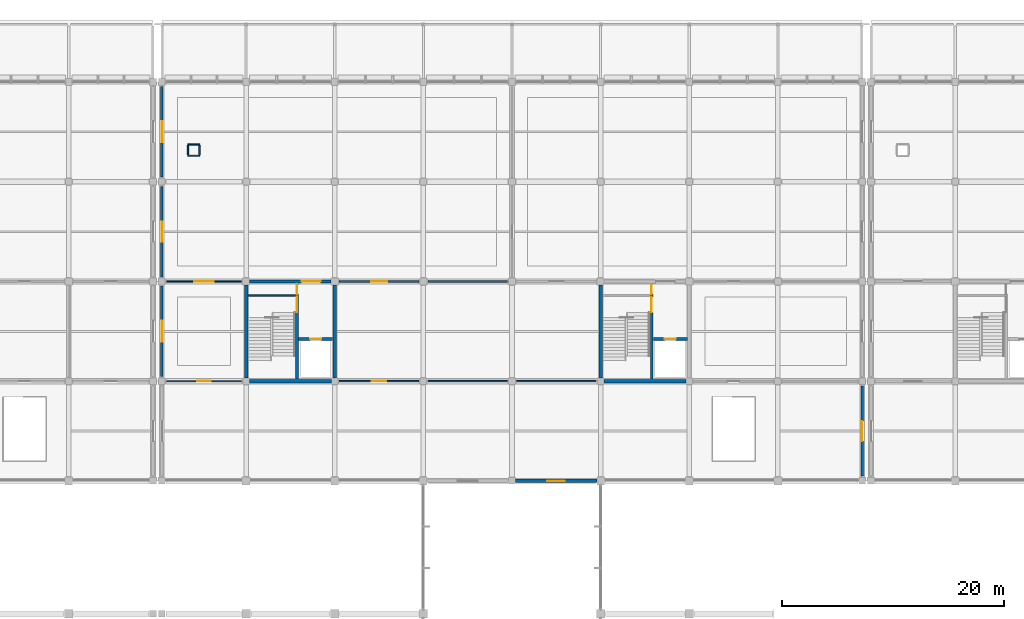
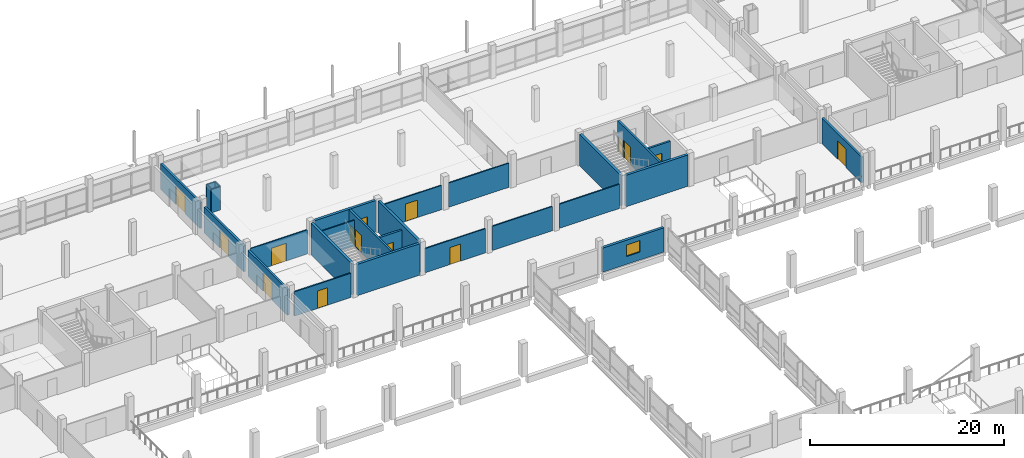
# One storey, part 45 of 57: 27 walls, 15 doors, 1 window, 16 openings.
"""IFC4 building model written with IfcOpenShell, lengths in metres."""

from ifc_helpers import new_model, si_unit, direction, frame, frame_2d, origin, place, context, subcontext, project, spatial, rectangle, extrude, material, layer, layer_set, type_object, element, fill, save


model = new_model("IFC4")

# Units and contexts
model_context = context("Model", 3, precision=1e-05, world=origin(), true_north=direction((0.0, 1.0)))
body_context = subcontext(model_context, "Body", "Model", "MODEL_VIEW")
ifc_project = project(units=[si_unit("LENGTHUNIT", "METRE"), si_unit("AREAUNIT", "SQUARE_METRE"), si_unit("VOLUMEUNIT", "CUBIC_METRE"), si_unit("PLANEANGLEUNIT", "RADIAN"), si_unit("MASSUNIT", "GRAM", prefix="KILO"), si_unit("THERMODYNAMICTEMPERATUREUNIT", "KELVIN"), si_unit("POWERUNIT", "WATT")], contexts=[model_context])

# Site, building, storey
site_placement = place(None, origin())
site = spatial("IfcSite", under=ifc_project, at=site_placement, CompositionType="ELEMENT")
building_placement = place(site_placement, origin())
building = spatial("IfcBuilding", under=site, at=building_placement, Name="Kronsvod Quay Wholesale Market", CompositionType="ELEMENT")
storey_placement = place(building_placement, frame((0.0, 0.0, 4.800048828125)))
storey = spatial("IfcBuildingStorey", under=building, at=storey_placement, Name="L01", CompositionType="ELEMENT", Elevation=4.800048828125)

# Wall
ifc_material_1 = material(Name="Concrete C35/45", Category="concrete")
ifc_layer_1 = layer(ifc_material_1, 0.300048828125)
ifc_layer_set_1 = layer_set([ifc_layer_1], Name="Concrete C35/45")
wall_type_1 = type_object("IfcWallType", Name="Wall_CoreShear300", PredefinedType="SHEAR", material=ifc_layer_set_1)
wall_1_placement = place(storey_placement, frame((72.294921875, 99.0, 0.0), z_axis=(0.0, 0.0, 1.0), x_axis=(1.0, 0.0, 0.0)))
element("IfcWall", 1, at=wall_1_placement, inside=storey, type_object=wall_type_1, Name="CW-C08-L01-S", PredefinedType="SHEAR", context=body_context, shape_type="SweptSolid", body=[
    extrude(rectangle(XDim=7.41015625, YDim=0.300048828125, at=frame_2d((3.705078125, 0.0))), origin(), (0.0, 0.0, 1.0), 3.954833984375),
])

# Wall, opening, door
wall_2_placement = place(storey_placement, frame((72.320068359375, 108.0, 0.0), z_axis=(0.0, 0.0, 1.0), x_axis=(1.0, 0.0, 0.0)))
wall_2 = element("IfcWall", 2, at=wall_2_placement, inside=storey, type_object=wall_type_1, Name="CW-C08-L01-N", PredefinedType="SHEAR", context=body_context, shape_type="SweptSolid", body=[
    extrude(rectangle(XDim=7.35986328125, YDim=0.300048828125, at=frame_2d((3.679931640625, 0.0))), origin(), (0.0, 0.0, 1.0), 3.954833984375),
])
opening_1_placement = place(wall_2_placement, frame((4.699951171875, 0.0, 0.0)))
opening_1 = element("IfcOpeningElement", 3, at=opening_1_placement, cuts=wall_2, Name="Opening D-0080", PredefinedType="OPENING", context=body_context, shape_type="SweptSolid", body=[
    extrude(rectangle(XDim=1.699951171875, YDim=2.25, at=frame_2d((0.85009765625, 1.125))), frame((0.0, 0.16015625, 0.0), z_axis=(0.0, -1.0, 0.0), x_axis=(1.0, 0.0, 0.0)), (0.0, 0.0, 1.0), 0.320068359375),
])
ifc_material_2 = material(Name="Painted galvanized fire steel", Category="steel")
door_type_1 = type_object("IfcDoorType", Name="Door_FireLobby170x225", OperationType="DOUBLE_DOOR_SINGLE_SWING", PredefinedType="DOOR", material=ifc_material_2)
door_1_placement = place(opening_1_placement, origin())
door_1 = element("IfcDoor", 4, at=door_1_placement, inside=storey, type_object=door_type_1, Name="Core Lobby Door D-0080", OperationType="DOUBLE_DOOR_SINGLE_SWING", OverallHeight=2.25, OverallWidth=1.699951171875, PredefinedType="DOOR", context=body_context, shape_type="SweptSolid", body=[
    extrude(rectangle(XDim=1.699951171875, YDim=2.25, at=frame_2d((0.85009765625, 1.125))), frame((0.0, 0.02490234375, 0.0), z_axis=(0.0, -1.0, 0.0), x_axis=(1.0, 0.0, 0.0)), (0.0, 0.0, 1.0), 0.050048828125),
])
fill(opening_1, door_1)

# Walls
for number, where, z_axis, x_axis, name in (
    (5, (72.0, 99.294921875, 0.0), (0.0, 0.0, 1.0), (0.0, 1.0, 0.0), "CW-C08-L01-W"),
    (6, (80.0, 99.294921875, 0.0), (0.0, 0.0, 1.0), (0.0, 1.0, 0.0), "CW-C08-L01-E"),
):
    element("IfcWall", number, at=place(storey_placement, frame(where, z_axis=z_axis, x_axis=x_axis)), inside=storey, type_object=wall_type_1, Name=name, PredefinedType="SHEAR", context=body_context, shape_type="SweptSolid", body=[
        extrude(rectangle(XDim=8.385009765625, YDim=0.300048828125, at=frame_2d((4.1923828125, 0.0))), origin(), (0.0, 0.0, 1.0), 3.954833984375),
    ])
wall_3_placement = place(storey_placement, frame((104.294921875, 99.0, 0.0), z_axis=(0.0, 0.0, 1.0), x_axis=(1.0, 0.0, 0.0)))
element("IfcWall", 7, at=wall_3_placement, inside=storey, type_object=wall_type_1, Name="CW-C09-L01-S", PredefinedType="SHEAR", context=body_context, shape_type="SweptSolid", body=[
    extrude(rectangle(XDim=7.41015625, YDim=0.300048828125, at=frame_2d((3.705078125, 0.0))), origin(), (0.0, 0.0, 1.0), 3.954833984375),
])
wall_4_placement = place(storey_placement, frame((104.0, 99.294921875, 0.0), z_axis=(0.0, 0.0, 1.0), x_axis=(0.0, 1.0, 0.0)))
element("IfcWall", 8, at=wall_4_placement, inside=storey, type_object=wall_type_1, Name="CW-C09-L01-W", PredefinedType="SHEAR", context=body_context, shape_type="SweptSolid", body=[
    extrude(rectangle(XDim=8.385009765625, YDim=0.300048828125, at=frame_2d((4.1923828125, 0.0))), origin(), (0.0, 0.0, 1.0), 3.954833984375),
])

# Wall, opening, window
ifc_material_3 = material(Name="Precast concrete C40/50", Category="concrete")
ifc_layer_2 = layer(ifc_material_3, 0.300048828125)
ifc_layer_set_2 = layer_set([ifc_layer_2], Name="Precast concrete C40/50")
wall_type_2 = type_object("IfcWallType", Name="Wall_ExtPrecast300", PredefinedType="SOLIDWALL", material=ifc_layer_set_2)
wall_5_placement = place(storey_placement, frame((96.294921875, 90.0, 0.0), z_axis=(0.0, 0.0, 1.0), x_axis=(1.0, 0.0, 0.0)))
wall_5 = element("IfcWall", 9, at=wall_5_placement, inside=storey, type_object=wall_type_2, Name="EW-X-L01-0126", PredefinedType="SOLIDWALL", context=body_context, shape_type="SweptSolid", body=[
    extrude(rectangle(XDim=7.360107421875, YDim=0.300048828125, at=frame_2d((3.68017578125, 0.0))), origin(), (0.0, 0.0, 1.0), 3.050048828125),
])
opening_2_placement = place(wall_5_placement, frame((2.8798828125, 0.0, 1.0)))
opening_2 = element("IfcOpeningElement", 10, at=opening_2_placement, cuts=wall_5, Name="Opening WIN-11", PredefinedType="OPENING", context=body_context, shape_type="SweptSolid", body=[
    extrude(rectangle(XDim=1.60009765625, YDim=1.449951171875, at=frame_2d((0.800048828125, 0.72509765625))), frame((0.0, 0.16015625, 0.0), z_axis=(0.0, -1.0, 0.0), x_axis=(1.0, 0.0, 0.0)), (0.0, 0.0, 1.0), 0.320068359375),
])
ifc_material_4 = material(Name="Thermally broken aluminium and triple low-E glazing", Category="aluminium")
window_type = type_object("IfcWindowType", Name="Win_W11", PartitioningType="SINGLE_PANEL", PredefinedType="WINDOW", material=ifc_material_4)
window_placement = place(opening_2_placement, origin())
window = element("IfcWindow", 11, at=window_placement, inside=storey, type_object=window_type, Name="WIN-L01-0011", OverallHeight=1.449951171875, OverallWidth=1.60009765625, PartitioningType="SINGLE_PANEL", PredefinedType="WINDOW", context=body_context, shape_type="SweptSolid", body=[
    extrude(rectangle(XDim=1.60009765625, YDim=1.449951171875, at=frame_2d((0.800048828125, 0.72509765625))), frame((0.0, 0.030029296875, 0.0), z_axis=(0.0, -1.0, 0.0), x_axis=(1.0, 0.0, 0.0)), (0.0, 0.0, 1.0), 0.06005859375),
])
fill(opening_2, window)

# Wall, opening, door
ifc_material_5 = material(Name="Precast concrete C40/50", Category="concrete")
ifc_layer_3 = layer(ifc_material_5, 0.239990234375)
ifc_layer_set_3 = layer_set([ifc_layer_3], Name="Precast concrete C40/50")
wall_type_3 = type_object("IfcWallType", Name="Wall_ExtSpandrel240", PredefinedType="SOLIDWALL", material=ifc_layer_set_3)
wall_6_placement = place(storey_placement, frame((64.39990234375, 99.419921875, 0.0), z_axis=(0.0, 0.0, 1.0), x_axis=(0.0, 1.0, 0.0)))
wall_6 = element("IfcWall", 12, at=wall_6_placement, inside=storey, type_object=wall_type_3, Name="MJWG-L01-644-990", PredefinedType="SOLIDWALL", context=body_context, shape_type="SweptSolid", body=[
    extrude(rectangle(XDim=8.16015625, YDim=0.239990234375, at=frame_2d((4.080078125, 0.0))), origin(), (0.0, 0.0, 1.0), 3.239990234375),
])
opening_3_placement = place(wall_6_placement, frame((3.1298828125, 0.0, 0.0)))
opening_3 = element("IfcOpeningElement", 13, at=opening_3_placement, cuts=wall_6, Name="Opening D-0359", PredefinedType="OPENING", context=body_context, shape_type="SweptSolid", body=[
    extrude(rectangle(XDim=1.89990234375, YDim=2.35009765625, at=frame_2d((0.949951171875, 1.175048828125))), frame((0.0, 0.1298828125, 0.0), z_axis=(0.0, -1.0, 0.0), x_axis=(1.0, 0.0, 0.0)), (0.0, 0.0, 1.0), 0.260009765625),
])
ifc_material_6 = material(Name="Painted galvanized fire steel", Category="steel")
door_type_2 = type_object("IfcDoorType", Name="Door_FireComp190x235", OperationType="DOUBLE_DOOR_SINGLE_SWING", PredefinedType="DOOR", material=ifc_material_6)
door_2_placement = place(opening_3_placement, origin())
door_2 = element("IfcDoor", 14, at=door_2_placement, inside=storey, type_object=door_type_2, Name="Fire Compartment Door D-0359", OperationType="DOUBLE_DOOR_SINGLE_SWING", OverallHeight=2.35009765625, OverallWidth=1.89990234375, PredefinedType="DOOR", context=body_context, shape_type="SweptSolid", body=[
    extrude(rectangle(XDim=1.89990234375, YDim=2.35009765625, at=frame_2d((0.949951171875, 1.175048828125))), frame((0.0, 0.02490234375, 0.0), z_axis=(0.0, -1.0, 0.0), x_axis=(1.0, 0.0, 0.0)), (0.0, 0.0, 1.0), 0.050048828125),
])
fill(opening_3, door_2)

wall_7_placement = place(storey_placement, frame((64.39990234375, 108.419921875, 0.0), z_axis=(0.0, 0.0, 1.0), x_axis=(0.0, 1.0, 0.0)))
wall_7 = element("IfcWall", 15, at=wall_7_placement, inside=storey, type_object=wall_type_3, Name="MJWG-L01-644-1080", PredefinedType="SOLIDWALL", context=body_context, shape_type="SweptSolid", body=[
    extrude(rectangle(XDim=8.16015625, YDim=0.239990234375, at=frame_2d((4.080078125, 0.0))), origin(), (0.0, 0.0, 1.0), 3.239990234375),
])
opening_4_placement = place(wall_7_placement, frame((3.179931640625, 0.0, 0.0)))
opening_4 = element("IfcOpeningElement", 16, at=opening_4_placement, cuts=wall_7, Name="Opening D-0360", PredefinedType="OPENING", context=body_context, shape_type="SweptSolid", body=[
    extrude(rectangle(XDim=1.800048828125, YDim=2.300048828125, at=frame_2d((0.89990234375, 1.14990234375))), frame((0.0, 0.1298828125, 0.0), z_axis=(0.0, -1.0, 0.0), x_axis=(1.0, 0.0, 0.0)), (0.0, 0.0, 1.0), 0.260009765625),
])
ifc_material_7 = material(Name="Painted galvanized fire steel", Category="steel")
door_type_3 = type_object("IfcDoorType", Name="Door_FireComp180x230", OperationType="DOUBLE_DOOR_SINGLE_SWING", PredefinedType="DOOR", material=ifc_material_7)
door_3_placement = place(opening_4_placement, origin())
door_3 = element("IfcDoor", 17, at=door_3_placement, inside=storey, type_object=door_type_3, Name="Fire Compartment Door D-0360", OperationType="DOUBLE_DOOR_SINGLE_SWING", OverallHeight=2.300048828125, OverallWidth=1.800048828125, PredefinedType="DOOR", context=body_context, shape_type="SweptSolid", body=[
    extrude(rectangle(XDim=1.800048828125, YDim=2.300048828125, at=frame_2d((0.89990234375, 1.14990234375))), frame((0.0, 0.02490234375, 0.0), z_axis=(0.0, -1.0, 0.0), x_axis=(1.0, 0.0, 0.0)), (0.0, 0.0, 1.0), 0.050048828125),
])
fill(opening_4, door_3)

wall_8_placement = place(storey_placement, frame((64.39990234375, 117.419921875, 0.0), z_axis=(0.0, 0.0, 1.0), x_axis=(0.0, 1.0, 0.0)))
wall_8 = element("IfcWall", 18, at=wall_8_placement, inside=storey, type_object=wall_type_3, Name="MJWG-L01-644-1170", PredefinedType="SOLIDWALL", context=body_context, shape_type="SweptSolid", body=[
    extrude(rectangle(XDim=8.16015625, YDim=0.239990234375, at=frame_2d((4.080078125, 0.0))), origin(), (0.0, 0.0, 1.0), 3.239990234375),
])
opening_5_placement = place(wall_8_placement, frame((3.1298828125, 0.0, 0.0)))
opening_5 = element("IfcOpeningElement", 19, at=opening_5_placement, cuts=wall_8, Name="Opening D-0361", PredefinedType="OPENING", context=body_context, shape_type="SweptSolid", body=[
    extrude(rectangle(XDim=1.89990234375, YDim=2.35009765625, at=frame_2d((0.949951171875, 1.175048828125))), frame((0.0, 0.1298828125, 0.0), z_axis=(0.0, -1.0, 0.0), x_axis=(1.0, 0.0, 0.0)), (0.0, 0.0, 1.0), 0.260009765625),
])
door_4_placement = place(opening_5_placement, origin())
door_4 = element("IfcDoor", 20, at=door_4_placement, inside=storey, type_object=door_type_2, Name="Fire Compartment Door D-0361", OperationType="DOUBLE_DOOR_SINGLE_SWING", OverallHeight=2.35009765625, OverallWidth=1.89990234375, PredefinedType="DOOR", context=body_context, shape_type="SweptSolid", body=[
    extrude(rectangle(XDim=1.89990234375, YDim=2.35009765625, at=frame_2d((0.949951171875, 1.175048828125))), frame((0.0, 0.02490234375, 0.0), z_axis=(0.0, -1.0, 0.0), x_axis=(1.0, 0.0, 0.0)), (0.0, 0.0, 1.0), 0.050048828125),
])
fill(opening_5, door_4)

wall_9_placement = place(storey_placement, frame((127.60009765625, 90.419921875, 0.0), z_axis=(0.0, 0.0, 1.0), x_axis=(0.0, 1.0, 0.0)))
wall_9 = element("IfcWall", 21, at=wall_9_placement, inside=storey, type_object=wall_type_3, Name="MJWG-L01-1276-900", PredefinedType="SOLIDWALL", context=body_context, shape_type="SweptSolid", body=[
    extrude(rectangle(XDim=8.16015625, YDim=0.239990234375, at=frame_2d((4.080078125, 0.0))), origin(), (0.0, 0.0, 1.0), 3.239990234375),
])
opening_6_placement = place(wall_9_placement, frame((3.179931640625, 0.0, 0.0)))
opening_6 = element("IfcOpeningElement", 22, at=opening_6_placement, cuts=wall_9, Name="Opening D-0364", PredefinedType="OPENING", context=body_context, shape_type="SweptSolid", body=[
    extrude(rectangle(XDim=1.800048828125, YDim=2.300048828125, at=frame_2d((0.89990234375, 1.14990234375))), frame((0.0, 0.1298828125, 0.0), z_axis=(0.0, -1.0, 0.0), x_axis=(1.0, 0.0, 0.0)), (0.0, 0.0, 1.0), 0.260009765625),
])
door_5_placement = place(opening_6_placement, origin())
door_5 = element("IfcDoor", 23, at=door_5_placement, inside=storey, type_object=door_type_3, Name="Fire Compartment Door D-0364", OperationType="DOUBLE_DOOR_SINGLE_SWING", OverallHeight=2.300048828125, OverallWidth=1.800048828125, PredefinedType="DOOR", context=body_context, shape_type="SweptSolid", body=[
    extrude(rectangle(XDim=1.800048828125, YDim=2.300048828125, at=frame_2d((0.89990234375, 1.14990234375))), frame((0.0, 0.02490234375, 0.0), z_axis=(0.0, -1.0, 0.0), x_axis=(1.0, 0.0, 0.0)), (0.0, 0.0, 1.0), 0.050048828125),
])
fill(opening_6, door_5)

ifc_material_8 = material(Name="Fire-rated corridor gypsum partition")
ifc_layer_4 = layer(ifc_material_8, 0.159912109375)
ifc_layer_set_4 = layer_set([ifc_layer_4], Name="Fire-rated corridor gypsum partition")
wall_type_4 = type_object("IfcWallType", Name="Wall_PartCorridor160", PredefinedType="PARTITIONING", material=ifc_layer_set_4)
wall_10_placement = place(storey_placement, frame((64.820068359375, 99.0, 0.0), z_axis=(0.0, 0.0, 1.0), x_axis=(1.0, 0.0, 0.0)))
wall_10 = element("IfcWall", 24, at=wall_10_placement, inside=storey, type_object=wall_type_4, Name="PW-L01-0070", PredefinedType="PARTITIONING", context=body_context, shape_type="SweptSolid", body=[
    extrude(rectangle(XDim=6.760009765625, YDim=0.159912109375, at=frame_2d((3.3798828125, 0.0))), origin(), (0.0, 0.0, 1.0), 3.050048828125),
])
opening_7_placement = place(wall_10_placement, frame((2.7900390625, 0.0, 0.0)))
opening_7 = element("IfcOpeningElement", 25, at=opening_7_placement, cuts=wall_10, Name="Opening D-0255", PredefinedType="OPENING", context=body_context, shape_type="SweptSolid", body=[
    extrude(rectangle(XDim=1.179931640625, YDim=2.199951171875, at=frame_2d((0.58984375, 1.10009765625))), frame((0.0, 0.08984375, 0.0), z_axis=(0.0, -1.0, 0.0), x_axis=(1.0, 0.0, 0.0)), (0.0, 0.0, 1.0), 0.179931640625),
])
ifc_material_9 = material(Name="Solid-core timber office door", Category="wood")
door_type_4 = type_object("IfcDoorType", Name="Door_Office118x220", OperationType="NOTDEFINED", PredefinedType="DOOR", material=ifc_material_9)
door_6_placement = place(opening_7_placement, origin())
door_6 = element("IfcDoor", 26, at=door_6_placement, inside=storey, type_object=door_type_4, Name="Interior Door D-0255", OperationType="SINGLE_SWING_LEFT", OverallHeight=2.199951171875, OverallWidth=1.179931640625, PredefinedType="DOOR", context=body_context, shape_type="SweptSolid", body=[
    extrude(rectangle(XDim=1.179931640625, YDim=2.199951171875, at=frame_2d((0.58984375, 1.10009765625))), frame((0.0, 0.02490234375, 0.0), z_axis=(0.0, -1.0, 0.0), x_axis=(1.0, 0.0, 0.0)), (0.0, 0.0, 1.0), 0.050048828125),
])
fill(opening_7, door_6)

ifc_material_10 = material(Name="Ceramic-faced kitchen masonry partition", Category="masonry")
ifc_layer_5 = layer(ifc_material_10, 0.14501953125)
ifc_layer_set_5 = layer_set([ifc_layer_5], Name="Ceramic-faced kitchen masonry partition")
wall_type_5 = type_object("IfcWallType", Name="Wall_PartKitchen145", PredefinedType="PARTITIONING", material=ifc_layer_set_5)
wall_11_placement = place(storey_placement, frame((80.419921875, 99.0, 0.0), z_axis=(0.0, 0.0, 1.0), x_axis=(1.0, 0.0, 0.0)))
wall_11 = element("IfcWall", 27, at=wall_11_placement, inside=storey, type_object=wall_type_5, Name="PW-L01-0071", PredefinedType="PARTITIONING", context=body_context, shape_type="SweptSolid", body=[
    extrude(rectangle(XDim=7.16015625, YDim=0.14501953125, at=frame_2d((3.580078125, 0.0))), origin(), (0.0, 0.0, 1.0), 3.050048828125),
])
opening_8_placement = place(wall_11_placement, frame((2.929931640625, 0.0, 0.0)))
opening_8 = element("IfcOpeningElement", 28, at=opening_8_placement, cuts=wall_11, Name="Opening D-0256", PredefinedType="OPENING", context=body_context, shape_type="SweptSolid", body=[
    extrude(rectangle(XDim=1.300048828125, YDim=2.14990234375, at=frame_2d((0.64990234375, 1.074951171875))), frame((0.0, 0.08251953125, 0.0), z_axis=(0.0, -1.0, 0.0), x_axis=(1.0, 0.0, 0.0)), (0.0, 0.0, 1.0), 0.1650390625),
])
ifc_material_11 = material(Name="Stainless kitchen swing door", Category="steel")
door_type_5 = type_object("IfcDoorType", Name="Door_Kitchen130x215", OperationType="DOUBLE_DOOR_DOUBLE_SWING", PredefinedType="DOOR", material=ifc_material_11)
door_7_placement = place(opening_8_placement, origin())
door_7 = element("IfcDoor", 29, at=door_7_placement, inside=storey, type_object=door_type_5, Name="Interior Door D-0256", OperationType="DOUBLE_DOOR_DOUBLE_SWING", OverallHeight=2.14990234375, OverallWidth=1.300048828125, PredefinedType="DOOR", context=body_context, shape_type="SweptSolid", body=[
    extrude(rectangle(XDim=1.300048828125, YDim=2.14990234375, at=frame_2d((0.64990234375, 1.074951171875))), frame((0.0, 0.02490234375, 0.0), z_axis=(0.0, -1.0, 0.0), x_axis=(1.0, 0.0, 0.0)), (0.0, 0.0, 1.0), 0.050048828125),
])
fill(opening_8, door_7)

# Walls
for number, where, z_axis, x_axis, name in (
    (30, (88.419921875, 99.0, 0.0), (0.0, 0.0, 1.0), (1.0, 0.0, 0.0), "PW-L01-0072"),
    (31, (96.419921875, 99.0, 0.0), (0.0, 0.0, 1.0), (1.0, 0.0, 0.0), "PW-L01-0073"),
):
    element("IfcWall", number, at=place(storey_placement, frame(where, z_axis=z_axis, x_axis=x_axis)), inside=storey, type_object=wall_type_5, Name=name, PredefinedType="PARTITIONING", context=body_context, shape_type="SweptSolid", body=[
        extrude(rectangle(XDim=7.16015625, YDim=0.14501953125, at=frame_2d((3.580078125, 0.0))), origin(), (0.0, 0.0, 1.0), 3.050048828125),
    ])

# Wall, opening, door
wall_12_placement = place(storey_placement, frame((80.419921875, 108.0, 0.0), z_axis=(0.0, 0.0, 1.0), x_axis=(1.0, 0.0, 0.0)))
wall_12 = element("IfcWall", 32, at=wall_12_placement, inside=storey, type_object=wall_type_5, Name="PW-L01-0083", PredefinedType="PARTITIONING", context=body_context, shape_type="SweptSolid", body=[
    extrude(rectangle(XDim=7.16015625, YDim=0.14501953125, at=frame_2d((3.580078125, 0.0))), origin(), (0.0, 0.0, 1.0), 3.050048828125),
])
opening_9_placement = place(wall_12_placement, frame((2.85498046875, 0.0, 0.0)))
opening_9 = element("IfcOpeningElement", 33, at=opening_9_placement, cuts=wall_12, Name="Opening D-0264", PredefinedType="OPENING", context=body_context, shape_type="SweptSolid", body=[
    extrude(rectangle(XDim=1.449951171875, YDim=2.199951171875, at=frame_2d((0.72509765625, 1.10009765625))), frame((0.0, 0.08251953125, 0.0), z_axis=(0.0, -1.0, 0.0), x_axis=(1.0, 0.0, 0.0)), (0.0, 0.0, 1.0), 0.1650390625),
])
ifc_material_12 = material(Name="Stainless kitchen swing door", Category="steel")
door_type_6 = type_object("IfcDoorType", Name="Door_Kitchen145x220", OperationType="DOUBLE_DOOR_DOUBLE_SWING", PredefinedType="DOOR", material=ifc_material_12)
door_8_placement = place(opening_9_placement, origin())
door_8 = element("IfcDoor", 34, at=door_8_placement, inside=storey, type_object=door_type_6, Name="Interior Door D-0264", OperationType="DOUBLE_DOOR_DOUBLE_SWING", OverallHeight=2.199951171875, OverallWidth=1.449951171875, PredefinedType="DOOR", context=body_context, shape_type="SweptSolid", body=[
    extrude(rectangle(XDim=1.449951171875, YDim=2.199951171875, at=frame_2d((0.72509765625, 1.10009765625))), frame((0.0, 0.02490234375, 0.0), z_axis=(0.0, -1.0, 0.0), x_axis=(1.0, 0.0, 0.0)), (0.0, 0.0, 1.0), 0.050048828125),
])
fill(opening_9, door_8)

# Wall
wall_13_placement = place(storey_placement, frame((88.419921875, 108.0, 0.0), z_axis=(0.0, 0.0, 1.0), x_axis=(1.0, 0.0, 0.0)))
element("IfcWall", 35, at=wall_13_placement, inside=storey, type_object=wall_type_5, Name="PW-L01-0084", PredefinedType="PARTITIONING", context=body_context, shape_type="SweptSolid", body=[
    extrude(rectangle(XDim=7.16015625, YDim=0.14501953125, at=frame_2d((3.580078125, 0.0))), origin(), (0.0, 0.0, 1.0), 3.050048828125),
])

# Wall, opening, door
ifc_material_13 = material(Name="Lightweight demountable office partition")
ifc_layer_6 = layer(ifc_material_13, 0.1201171875)
ifc_layer_set_6 = layer_set([ifc_layer_6], Name="Lightweight demountable office partition")
wall_type_6 = type_object("IfcWallType", Name="Wall_PartOffice120", PredefinedType="PARTITIONING", material=ifc_layer_set_6)
wall_14_placement = place(storey_placement, frame((64.820068359375, 108.0, 0.0), z_axis=(0.0, 0.0, 1.0), x_axis=(1.0, 0.0, 0.0)))
wall_14 = element("IfcWall", 36, at=wall_14_placement, inside=storey, type_object=wall_type_6, Name="PW-L01-0082", PredefinedType="PARTITIONING", context=body_context, shape_type="SweptSolid", body=[
    extrude(rectangle(XDim=6.760009765625, YDim=0.1201171875, at=frame_2d((3.3798828125, 0.0))), origin(), (0.0, 0.0, 1.0), 3.050048828125),
])
opening_10_placement = place(wall_14_placement, frame((2.5048828125, 0.0, 0.0)))
opening_10 = element("IfcOpeningElement", 37, at=opening_10_placement, cuts=wall_14, Name="Opening D-0263", PredefinedType="OPENING", context=body_context, shape_type="SweptSolid", body=[
    extrude(rectangle(XDim=1.75, YDim=2.219970703125, at=frame_2d((0.875, 1.10986328125))), frame((0.0, 0.070068359375, 0.0), z_axis=(0.0, -1.0, 0.0), x_axis=(1.0, 0.0, 0.0)), (0.0, 0.0, 1.0), 0.14013671875),
])
ifc_material_14 = material(Name="Glazed timber suite door", Category="wood")
door_type_7 = type_object("IfcDoorType", Name="Door_OfficeDouble175x222", OperationType="DOUBLE_DOOR_SINGLE_SWING", PredefinedType="DOOR", material=ifc_material_14)
door_9_placement = place(opening_10_placement, origin())
door_9 = element("IfcDoor", 38, at=door_9_placement, inside=storey, type_object=door_type_7, Name="Interior Door D-0263", OperationType="DOUBLE_DOOR_SINGLE_SWING", OverallHeight=2.219970703125, OverallWidth=1.75, PredefinedType="DOOR", context=body_context, shape_type="SweptSolid", body=[
    extrude(rectangle(XDim=1.75, YDim=2.219970703125, at=frame_2d((0.875, 1.10986328125))), frame((0.0, 0.02490234375, 0.0), z_axis=(0.0, -1.0, 0.0), x_axis=(1.0, 0.0, 0.0)), (0.0, 0.0, 1.0), 0.050048828125),
])
fill(opening_10, door_9)

# Walls
ifc_material_15 = material(Name="Fire-rated shaft riser block wall", Category="masonry")
ifc_layer_7 = layer(ifc_material_15, 0.1201171875)
ifc_layer_set_7 = layer_set([ifc_layer_7], Name="Fire-rated shaft riser block wall")
wall_type_7 = type_object("IfcWallType", Name="Wall_PartRiser120", PredefinedType="PARTITIONING", material=ifc_layer_set_7)
for number, where, z_axis, x_axis, name in (
    (39, (66.739990234375, 119.340087890625, 0.0), (0.0, 0.0, 1.0), (1.0, 0.0, 0.0), "RSRW-SLB-L01-073-S"),
    (40, (66.739990234375, 120.360107421875, 0.0), (0.0, 0.0, 1.0), (1.0, 0.0, 0.0), "RSRW-SLB-L01-073-N"),
):
    element("IfcWall", number, at=place(storey_placement, frame(where, z_axis=z_axis, x_axis=x_axis)), inside=storey, type_object=wall_type_7, Name=name, PredefinedType="PARTITIONING", context=body_context, shape_type="SweptSolid", body=[
        extrude(rectangle(XDim=1.06005859375, YDim=0.1201171875, at=frame_2d((0.530029296875, 0.0))), origin(), (0.0, 0.0, 1.0), 2.949951171875),
    ])
for number, where, z_axis, x_axis, name in (
    (41, (66.760009765625, 119.419921875, 0.0), (0.0, 0.0, 1.0), (0.0, 1.0, 0.0), "RSRW-SLB-L01-073-W"),
    (42, (67.780029296875, 119.419921875, 0.0), (0.0, 0.0, 1.0), (0.0, 1.0, 0.0), "RSRW-SLB-L01-073-E"),
):
    element("IfcWall", number, at=place(storey_placement, frame(where, z_axis=z_axis, x_axis=x_axis)), inside=storey, type_object=wall_type_7, Name=name, PredefinedType="PARTITIONING", context=body_context, shape_type="SweptSolid", body=[
        extrude(rectangle(XDim=0.860107421875, YDim=0.1201171875, at=frame_2d((0.43017578125, 0.0))), origin(), (0.0, 0.0, 1.0), 2.949951171875),
    ])
ifc_material_16 = material(Name="Fire-rated shaft riser block wall", Category="masonry")
ifc_layer_8 = layer(ifc_material_16, 0.1298828125)
ifc_layer_set_8 = layer_set([ifc_layer_8], Name="Fire-rated shaft riser block wall")
wall_type_8 = type_object("IfcWallType", Name="Wall_PartRiser130", PredefinedType="PARTITIONING", material=ifc_layer_set_8)
wall_15_placement = place(storey_placement, frame((72.179931640625, 106.75, 0.0), z_axis=(0.0, 0.0, 1.0), x_axis=(1.0, 0.0, 0.0)))
element("IfcWall", 43, at=wall_15_placement, inside=storey, type_object=wall_type_8, Name="CW-C08-L01-RSR", PredefinedType="PARTITIONING", context=body_context, shape_type="SweptSolid", body=[
    extrude(rectangle(XDim=4.280029296875, YDim=0.1298828125, at=frame_2d((2.14013671875, 0.0))), origin(), (0.0, 0.0, 1.0), 3.304931640625),
])

# Wall, openings, doors
ifc_material_17 = material(Name="Concrete C35/45", Category="concrete")
ifc_layer_9 = layer(ifc_material_17, 0.239990234375)
ifc_layer_set_9 = layer_set([ifc_layer_9], Name="Concrete C35/45")
wall_type_9 = type_object("IfcWallType", Name="Wall_ShaftWall240", PredefinedType="SHEAR", material=ifc_layer_set_9)
wall_16_placement = place(storey_placement, frame((76.60009765625, 99.179931640625, 0.0), z_axis=(0.0, 0.0, 1.0), x_axis=(0.0, 1.0, 0.0)))
wall_16 = element("IfcWall", 44, at=wall_16_placement, inside=storey, type_object=wall_type_9, Name="CW-C08-L01-DIV", PredefinedType="SHEAR", context=body_context, shape_type="SweptSolid", body=[
    extrude(rectangle(XDim=8.64013671875, YDim=0.239990234375, at=frame_2d((4.320068359375, 0.0))), origin(), (0.0, 0.0, 1.0), 3.954833984375),
])
opening_11_placement = place(wall_16_placement, frame((6.02001953125, 0.0, 0.0)))
opening_11 = element("IfcOpeningElement", 45, at=opening_11_placement, cuts=wall_16, Name="Opening D-0078", PredefinedType="OPENING", context=body_context, shape_type="SweptSolid", body=[
    extrude(rectangle(XDim=1.39990234375, YDim=2.199951171875, at=frame_2d((0.699951171875, 1.10009765625))), frame((0.0, 0.1298828125, 0.0), z_axis=(0.0, -1.0, 0.0), x_axis=(1.0, 0.0, 0.0)), (0.0, 0.0, 1.0), 0.260009765625),
])
opening_12_placement = place(wall_16_placement, frame((7.679931640625, 0.0, 0.0)))
opening_12 = element("IfcOpeningElement", 46, at=opening_12_placement, cuts=wall_16, Name="Opening D-0079", PredefinedType="OPENING", context=body_context, shape_type="SweptSolid", body=[
    extrude(rectangle(XDim=0.8798828125, YDim=2.02001953125, at=frame_2d((0.43994140625, 1.010009765625))), frame((0.0, 0.1298828125, 0.0), z_axis=(0.0, -1.0, 0.0), x_axis=(1.0, 0.0, 0.0)), (0.0, 0.0, 1.0), 0.260009765625),
])
ifc_material_18 = material(Name="Painted galvanized fire steel", Category="steel")
door_type_8 = type_object("IfcDoorType", Name="Door_FireStair140x220", OperationType="NOTDEFINED", PredefinedType="DOOR", material=ifc_material_18)
door_10_placement = place(opening_11_placement, origin())
door_10 = element("IfcDoor", 47, at=door_10_placement, inside=storey, type_object=door_type_8, Name="Stair Fire Door D-0078", OperationType="SINGLE_SWING_LEFT", OverallHeight=2.199951171875, OverallWidth=1.39990234375, PredefinedType="DOOR", context=body_context, shape_type="SweptSolid", body=[
    extrude(rectangle(XDim=1.39990234375, YDim=2.199951171875, at=frame_2d((0.699951171875, 1.10009765625))), frame((0.0, 0.02490234375, 0.0), z_axis=(0.0, -1.0, 0.0), x_axis=(1.0, 0.0, 0.0)), (0.0, 0.0, 1.0), 0.050048828125),
])
fill(opening_11, door_10)
ifc_material_19 = material(Name="Fire-rated steel riser access door", Category="steel")
door_type_9 = type_object("IfcDoorType", Name="Door_Riser88x202", OperationType="NOTDEFINED", PredefinedType="DOOR", material=ifc_material_19)
door_11_placement = place(opening_12_placement, origin())
door_11 = element("IfcDoor", 48, at=door_11_placement, inside=storey, type_object=door_type_9, Name="Service Riser Door D-0079", OperationType="SINGLE_SWING_RIGHT", OverallHeight=2.02001953125, OverallWidth=0.8798828125, PredefinedType="DOOR", context=body_context, shape_type="SweptSolid", body=[
    extrude(rectangle(XDim=0.8798828125, YDim=2.02001953125, at=frame_2d((0.43994140625, 1.010009765625))), frame((0.0, 0.02490234375, 0.0), z_axis=(0.0, -1.0, 0.0), x_axis=(1.0, 0.0, 0.0)), (0.0, 0.0, 1.0), 0.050048828125),
])
fill(opening_12, door_11)

# Wall, opening, door
wall_17_placement = place(storey_placement, frame((76.75, 102.800048828125, 0.0), z_axis=(0.0, 0.0, 1.0), x_axis=(1.0, 0.0, 0.0)))
wall_17 = element("IfcWall", 49, at=wall_17_placement, inside=storey, type_object=wall_type_9, Name="CW-C08-L01-LSH", PredefinedType="SHEAR", context=body_context, shape_type="SweptSolid", body=[
    extrude(rectangle(XDim=3.070068359375, YDim=0.239990234375, at=frame_2d((1.53515625, 0.0))), origin(), (0.0, 0.0, 1.0), 3.304931640625),
])
opening_13_placement = place(wall_17_placement, frame((1.034912109375, 0.0, 0.0)))
opening_13 = element("IfcOpeningElement", 50, at=opening_13_placement, cuts=wall_17, Name="Opening D-0081", PredefinedType="OPENING", context=body_context, shape_type="SweptSolid", body=[
    extrude(rectangle(XDim=1.0, YDim=2.14990234375, at=frame_2d((0.5, 1.074951171875))), frame((0.0, 0.1298828125, 0.0), z_axis=(0.0, -1.0, 0.0), x_axis=(1.0, 0.0, 0.0)), (0.0, 0.0, 1.0), 0.260009765625),
])
ifc_material_20 = material(Name="Brushed stainless steel", Category="steel")
door_type_10 = type_object("IfcDoorType", Name="Door_LiftLandingPax", OperationType="SLIDING_TO_LEFT", PredefinedType="DOOR", material=ifc_material_20)
door_12_placement = place(opening_13_placement, origin())
door_12 = element("IfcDoor", 51, at=door_12_placement, inside=storey, type_object=door_type_10, Name="Lift Landing Door LFT-P03 L01", OperationType="SLIDING_TO_LEFT", OverallHeight=2.14990234375, OverallWidth=1.0, PredefinedType="DOOR", context=body_context, shape_type="SweptSolid", body=[
    extrude(rectangle(XDim=1.0, YDim=2.14990234375, at=frame_2d((0.5, 1.074951171875))), frame((0.0, 0.02490234375, 0.0), z_axis=(0.0, -1.0, 0.0), x_axis=(1.0, 0.0, 0.0)), (0.0, 0.0, 1.0), 0.050048828125),
])
fill(opening_13, door_12)

# Wall, openings, doors
wall_18_placement = place(storey_placement, frame((108.60009765625, 99.179931640625, 0.0), z_axis=(0.0, 0.0, 1.0), x_axis=(0.0, 1.0, 0.0)))
wall_18 = element("IfcWall", 52, at=wall_18_placement, inside=storey, type_object=wall_type_9, Name="CW-C09-L01-DIV", PredefinedType="SHEAR", context=body_context, shape_type="SweptSolid", body=[
    extrude(rectangle(XDim=8.64013671875, YDim=0.239990234375, at=frame_2d((4.320068359375, 0.0))), origin(), (0.0, 0.0, 1.0), 3.954833984375),
])
opening_14_placement = place(wall_18_placement, frame((6.02001953125, 0.0, 0.0)))
opening_14 = element("IfcOpeningElement", 53, at=opening_14_placement, cuts=wall_18, Name="Opening D-0094", PredefinedType="OPENING", context=body_context, shape_type="SweptSolid", body=[
    extrude(rectangle(XDim=1.3798828125, YDim=2.219970703125, at=frame_2d((0.68994140625, 1.10986328125))), frame((0.0, 0.1298828125, 0.0), z_axis=(0.0, -1.0, 0.0), x_axis=(1.0, 0.0, 0.0)), (0.0, 0.0, 1.0), 0.260009765625),
])
opening_15_placement = place(wall_18_placement, frame((7.679931640625, 0.0, 0.0)))
opening_15 = element("IfcOpeningElement", 54, at=opening_15_placement, cuts=wall_18, Name="Opening D-0095", PredefinedType="OPENING", context=body_context, shape_type="SweptSolid", body=[
    extrude(rectangle(XDim=0.89990234375, YDim=2.050048828125, at=frame_2d((0.449951171875, 1.02490234375))), frame((0.0, 0.1298828125, 0.0), z_axis=(0.0, -1.0, 0.0), x_axis=(1.0, 0.0, 0.0)), (0.0, 0.0, 1.0), 0.260009765625),
])
ifc_material_21 = material(Name="Painted galvanized fire steel", Category="steel")
door_type_11 = type_object("IfcDoorType", Name="Door_FireStair138x222", OperationType="NOTDEFINED", PredefinedType="DOOR", material=ifc_material_21)
door_13_placement = place(opening_14_placement, origin())
door_13 = element("IfcDoor", 55, at=door_13_placement, inside=storey, type_object=door_type_11, Name="Stair Fire Door D-0094", OperationType="SINGLE_SWING_LEFT", OverallHeight=2.219970703125, OverallWidth=1.3798828125, PredefinedType="DOOR", context=body_context, shape_type="SweptSolid", body=[
    extrude(rectangle(XDim=1.3798828125, YDim=2.219970703125, at=frame_2d((0.68994140625, 1.10986328125))), frame((0.0, 0.02490234375, 0.0), z_axis=(0.0, -1.0, 0.0), x_axis=(1.0, 0.0, 0.0)), (0.0, 0.0, 1.0), 0.050048828125),
])
fill(opening_14, door_13)
ifc_material_22 = material(Name="Fire-rated steel riser access door", Category="steel")
door_type_12 = type_object("IfcDoorType", Name="Door_Riser90x205", OperationType="NOTDEFINED", PredefinedType="DOOR", material=ifc_material_22)
door_14_placement = place(opening_15_placement, origin())
door_14 = element("IfcDoor", 56, at=door_14_placement, inside=storey, type_object=door_type_12, Name="Service Riser Door D-0095", OperationType="SINGLE_SWING_RIGHT", OverallHeight=2.050048828125, OverallWidth=0.89990234375, PredefinedType="DOOR", context=body_context, shape_type="SweptSolid", body=[
    extrude(rectangle(XDim=0.89990234375, YDim=2.050048828125, at=frame_2d((0.449951171875, 1.02490234375))), frame((0.0, 0.02490234375, 0.0), z_axis=(0.0, -1.0, 0.0), x_axis=(1.0, 0.0, 0.0)), (0.0, 0.0, 1.0), 0.050048828125),
])
fill(opening_15, door_14)

# Wall, opening, door
wall_19_placement = place(storey_placement, frame((108.75, 102.800048828125, 0.0), z_axis=(0.0, 0.0, 1.0), x_axis=(1.0, 0.0, 0.0)))
wall_19 = element("IfcWall", 57, at=wall_19_placement, inside=storey, type_object=wall_type_9, Name="CW-C09-L01-LSH", PredefinedType="SHEAR", context=body_context, shape_type="SweptSolid", body=[
    extrude(rectangle(XDim=3.070068359375, YDim=0.239990234375, at=frame_2d((1.53515625, 0.0))), origin(), (0.0, 0.0, 1.0), 3.304931640625),
])
opening_16_placement = place(wall_19_placement, frame((1.034912109375, 0.0, 0.0)))
opening_16 = element("IfcOpeningElement", 58, at=opening_16_placement, cuts=wall_19, Name="Opening D-0097", PredefinedType="OPENING", context=body_context, shape_type="SweptSolid", body=[
    extrude(rectangle(XDim=1.0, YDim=2.14990234375, at=frame_2d((0.5, 1.074951171875))), frame((0.0, 0.1298828125, 0.0), z_axis=(0.0, -1.0, 0.0), x_axis=(1.0, 0.0, 0.0)), (0.0, 0.0, 1.0), 0.260009765625),
])
door_15_placement = place(opening_16_placement, origin())
door_15 = element("IfcDoor", 59, at=door_15_placement, inside=storey, type_object=door_type_10, Name="Lift Landing Door LFT-P04 L01", OperationType="SLIDING_TO_LEFT", OverallHeight=2.14990234375, OverallWidth=1.0, PredefinedType="DOOR", context=body_context, shape_type="SweptSolid", body=[
    extrude(rectangle(XDim=1.0, YDim=2.14990234375, at=frame_2d((0.5, 1.074951171875))), frame((0.0, 0.02490234375, 0.0), z_axis=(0.0, -1.0, 0.0), x_axis=(1.0, 0.0, 0.0)), (0.0, 0.0, 1.0), 0.050048828125),
])
fill(opening_16, door_15)

save(model, "model.ifc")
